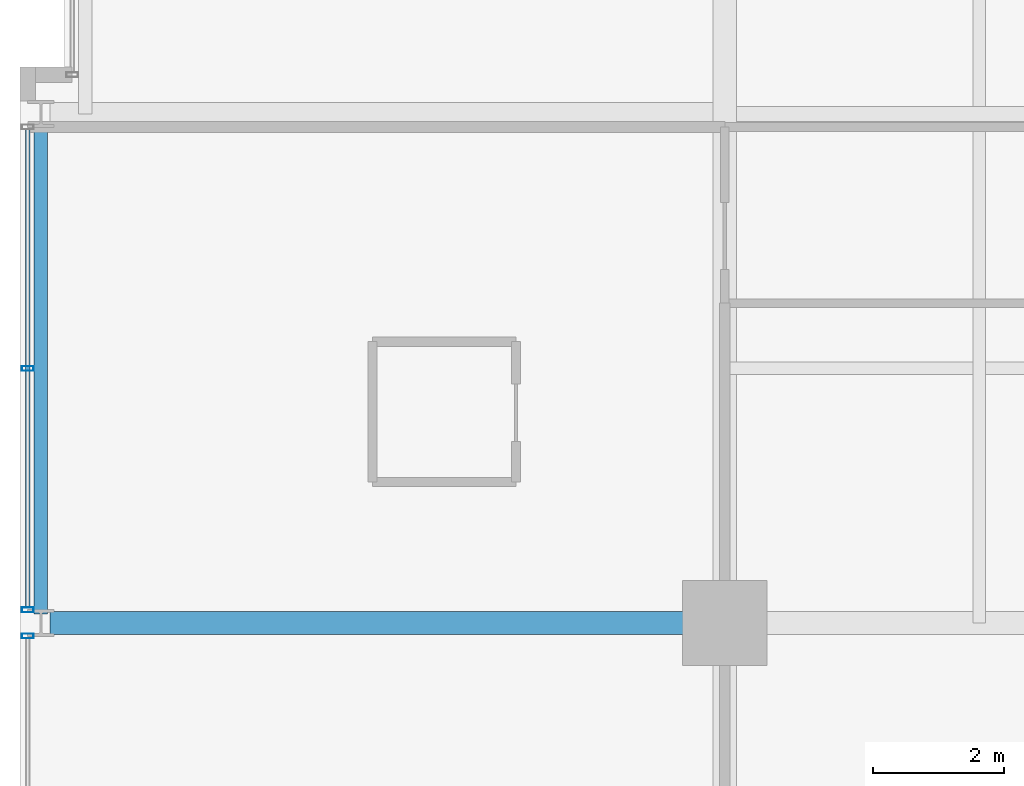
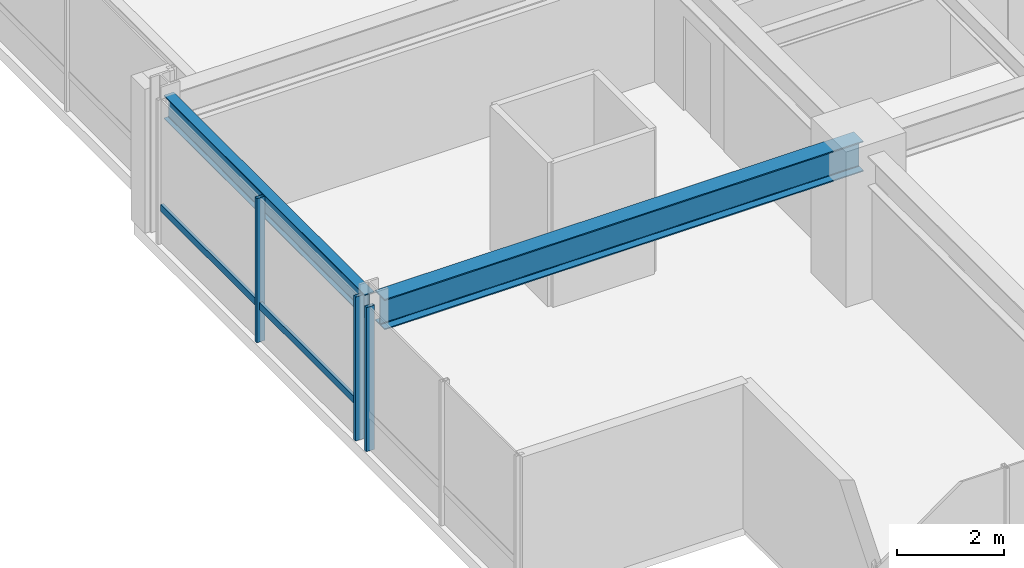
# One storey, part 4 of 33: 4 members, 2 beams, 2 elements without a shape of their own.
"""IFC4 building model written with IfcOpenShell, lengths in metres."""

from ifc_helpers import new_model, si_unit, direction, frame, origin, origin_2d, place, context, subcontext, project, spatial, hollow_rectangle, i_section, extrude, material, layer, layer_set, material_profile, profile_set, type_object, element, aggregate, save


model = new_model("IFC4")

# Units and contexts
model_context = context("Model", 3, precision=1e-05, world=origin(), true_north=direction((0.0, 1.0)))
body_context = subcontext(model_context, "Body", "Model", "MODEL_VIEW")
ifc_project = project(units=[si_unit("LENGTHUNIT", "METRE"), si_unit("AREAUNIT", "SQUARE_METRE"), si_unit("VOLUMEUNIT", "CUBIC_METRE"), si_unit("PLANEANGLEUNIT", "RADIAN"), si_unit("MASSUNIT", "GRAM", prefix="KILO")], contexts=[model_context])

# Site, building, storey
site_placement = place(None, origin())
site = spatial("IfcSite", under=ifc_project, at=site_placement, CompositionType="ELEMENT")
building_placement = place(site_placement, origin())
building = spatial("IfcBuilding", under=site, at=building_placement, Name="Drelvath Grand Hotel", CompositionType="ELEMENT")
storey_placement = place(building_placement, frame((0.0, 0.0, 168.14990234375)))
storey = spatial("IfcBuildingStorey", under=building, at=storey_placement, Name="L43", CompositionType="ELEMENT", Elevation=168.14990234375)

# Curtain wall, member
ifc_material_1 = material(Name="Brushed Pale-Silver Anodised Aluminium Frame", Category="aluminium")
ifc_layer = layer(ifc_material_1, 0.199951171875)
ifc_layer_set = layer_set([ifc_layer], Name="Brushed Pale-Silver Anodised Aluminium Frame")
curtain_wall_type = type_object("IfcCurtainWallType", Name="Stick Curtain Wall CW-04 Brushed Silver Upper-Mid", PredefinedType="NOTDEFINED", material=ifc_layer_set)
curtain_wall_1_placement = place(storey_placement, origin())
curtain_wall_1 = element("IfcCurtainWall", 1, at=curtain_wall_1_placement, inside=storey, type_object=curtain_wall_type, Name="L43 CW-04 Curtain Wall CW04-L43-WS2", PredefinedType="NOTDEFINED")
ifc_material_profile_1 = material_profile(ifc_material_1, hollow_rectangle(XDim=0.06494140625, YDim=0.159912109375, WallThickness=0.00390625, at=origin_2d()), Name="HSS160X65X4")
ifc_profile_set_1 = profile_set([ifc_material_profile_1], Name="Brushed Pale-Silver Anodised Aluminium Frame")
member_type_1 = type_object("IfcMemberType", Name="Curtain Wall Horizontal Transom CW-04 HSS160X65X4", PredefinedType="USERDEFINED", material=ifc_profile_set_1)
member_1_placement = place(storey_placement, frame((-26.8798828125, 11.0400390625, 0.822509765625), z_axis=(0.0, 1.0, 0.0), x_axis=(-1.0, 0.0, 0.0)))
member_1 = element("IfcMember", 2, at=member_1_placement, type_object=member_type_1, Name="CW04-L43-WS2 Sill Transom", ObjectType="TRANSOM", PredefinedType="USERDEFINED", context=body_context, shape_type="SweptSolid", body=[
    extrude(hollow_rectangle(XDim=0.06494140625, YDim=0.159912109375, WallThickness=0.00390625, at=origin_2d()), origin(), (0.0, 0.0, 1.0), 7.320068359375),
])

curtain_wall_2_placement = place(storey_placement, origin())
curtain_wall_2 = element("IfcCurtainWall", 3, at=curtain_wall_2_placement, inside=storey, type_object=curtain_wall_type, Name="L43 CW-04 Curtain Wall CW04-L43-WS1", PredefinedType="NOTDEFINED")
ifc_material_profile_2 = material_profile(ifc_material_1, hollow_rectangle(XDim=0.074951171875, YDim=0.179931640625, WallThickness=0.0048828125, at=origin_2d()), Name="HSS180X75X5")
ifc_profile_set_2 = profile_set([ifc_material_profile_2], Name="Brushed Pale-Silver Anodised Aluminium Frame")
member_type_2 = type_object("IfcMemberType", Name="Curtain Wall Vertical Mullion CW-04 HSS180X75X5", PredefinedType="MULLION", material=ifc_profile_set_2)
member_2_placement = place(storey_placement, frame((-26.8798828125, 10.599853515625, 0.0), z_axis=(0.0, 0.0, 1.0), x_axis=(0.0, 1.0, 0.0)))
member_2 = element("IfcMember", 4, at=member_2_placement, type_object=member_type_2, Name="CW04-L43-WS1 Mullion 3", PredefinedType="MULLION", context=body_context, shape_type="SweptSolid", body=[
    extrude(hollow_rectangle(XDim=0.074951171875, YDim=0.179931640625, WallThickness=0.0048828125, at=origin_2d()), origin(), (0.0, 0.0, 1.0), 3.2900390625),
])
aggregate(curtain_wall_2, [member_2])

# Member
member_3_placement = place(storey_placement, frame((-26.8798828125, 11.0, 0.0), z_axis=(0.0, 0.0, 1.0), x_axis=(0.0, 1.0, 0.0)))
member_3 = element("IfcMember", 5, at=member_3_placement, type_object=member_type_2, Name="CW04-L43-WS2 Mullion 1", PredefinedType="MULLION", context=body_context, shape_type="SweptSolid", body=[
    extrude(hollow_rectangle(XDim=0.074951171875, YDim=0.179931640625, WallThickness=0.0048828125, at=origin_2d()), origin(), (0.0, 0.0, 1.0), 3.2900390625),
])

member_4_placement = place(storey_placement, frame((-26.8798828125, 14.699951171875, 0.0), z_axis=(0.0, 0.0, 1.0), x_axis=(0.0, 1.0, 0.0)))
member_4 = element("IfcMember", 6, at=member_4_placement, type_object=member_type_2, Name="CW04-L43-WS2 Mullion 2", PredefinedType="MULLION", context=body_context, shape_type="SweptSolid", body=[
    extrude(hollow_rectangle(XDim=0.074951171875, YDim=0.179931640625, WallThickness=0.0048828125, at=origin_2d()), origin(), (0.0, 0.0, 1.0), 3.2900390625),
])

aggregate(curtain_wall_1, [member_3, member_4, member_1])

# Beams
ifc_material_2 = material(Name="Steel ASTM A992 Gr 50", Category="steel")
ifc_material_profile_3 = material_profile(ifc_material_2, i_section(OverallWidth=0.210205078125, OverallDepth=0.53662109375, WebThickness=0.010986328125, FlangeThickness=0.017333984375, FilletRadius=0.01806640625, at=origin_2d()), Name="W21X68")
ifc_profile_set_3 = profile_set([ifc_material_profile_3], Name="Steel ASTM A992 Gr 50")
beam_type_1 = type_object("IfcBeamType", Name="Perimeter Spandrel Beam W21X68", PredefinedType="SPANDREL", material=ifc_profile_set_3)
beam_1_placement = place(storey_placement, frame((-26.679931640625, 10.93994140625, 3.021728515625), z_axis=(0.0, 1.0, 0.0), x_axis=(-1.0, 0.0, 0.0)))
element("IfcBeam", 7, at=beam_1_placement, inside=storey, type_object=beam_type_1, Name="L43 Spandrel West S", PredefinedType="SPANDREL", context=body_context, shape_type="SweptSolid", body=[
    extrude(i_section(OverallWidth=0.210205078125, OverallDepth=0.53662109375, WebThickness=0.010986328125, FlangeThickness=0.017333984375, FilletRadius=0.01806640625, at=origin_2d()), origin(), (0.0, 0.0, 1.0), 7.52001953125),
])
ifc_material_profile_4 = material_profile(ifc_material_2, i_section(OverallWidth=0.354736328125, OverallDepth=0.695556640625, WebThickness=0.015380859375, FlangeThickness=0.025146484375, FilletRadius=0.02392578125, at=origin_2d()), Name="W27X146")
ifc_profile_set_4 = profile_set([ifc_material_profile_4], Name="Steel ASTM A992 Gr 50")
beam_type_2 = type_object("IfcBeamType", Name="Primary Floor Girder W27X146", PredefinedType="BEAM", material=ifc_profile_set_4)
beam_2_placement = place(storey_placement, frame((-26.5400390625, 10.800048828125, 2.9423828125), z_axis=(1.0, 0.0, 0.0), x_axis=(0.0, 1.0, 0.0)))
element("IfcBeam", 8, at=beam_2_placement, inside=storey, type_object=beam_type_2, Name="L43 West Grid Girder C", PredefinedType="BEAM", context=body_context, shape_type="SweptSolid", body=[
    extrude(i_section(OverallWidth=0.354736328125, OverallDepth=0.695556640625, WebThickness=0.015380859375, FlangeThickness=0.025146484375, FilletRadius=0.02392578125, at=origin_2d()), origin(), (0.0, 0.0, 1.0), 10.340087890625),
])

save(model, "model.ifc")
